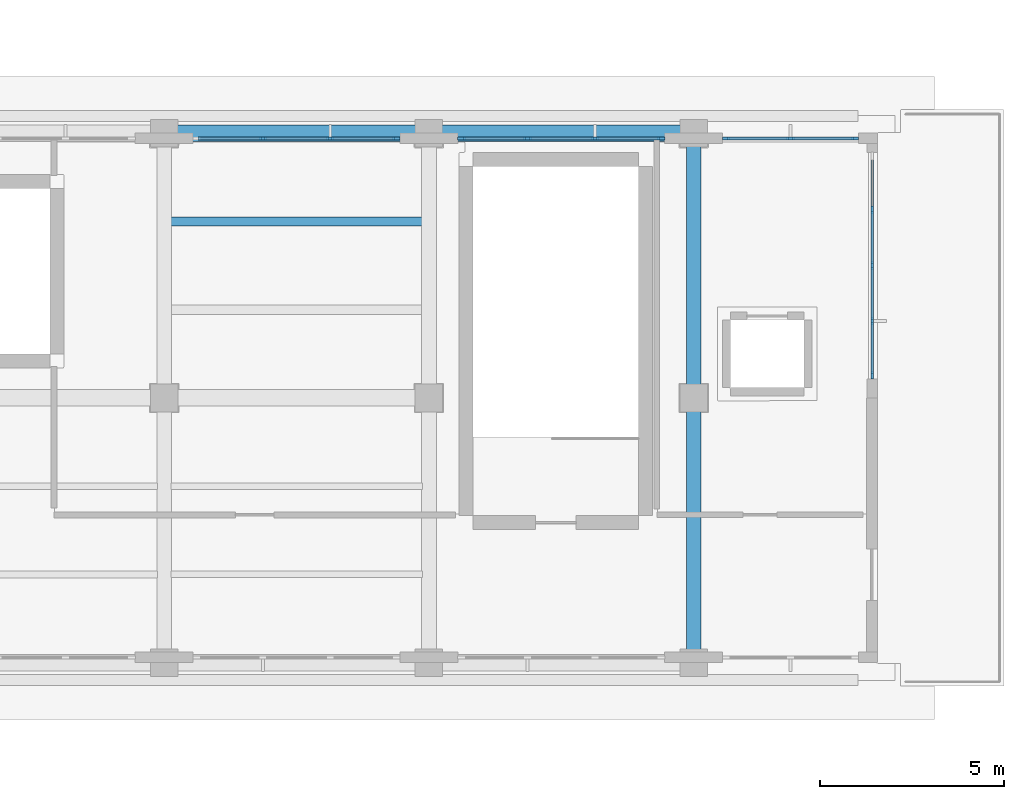
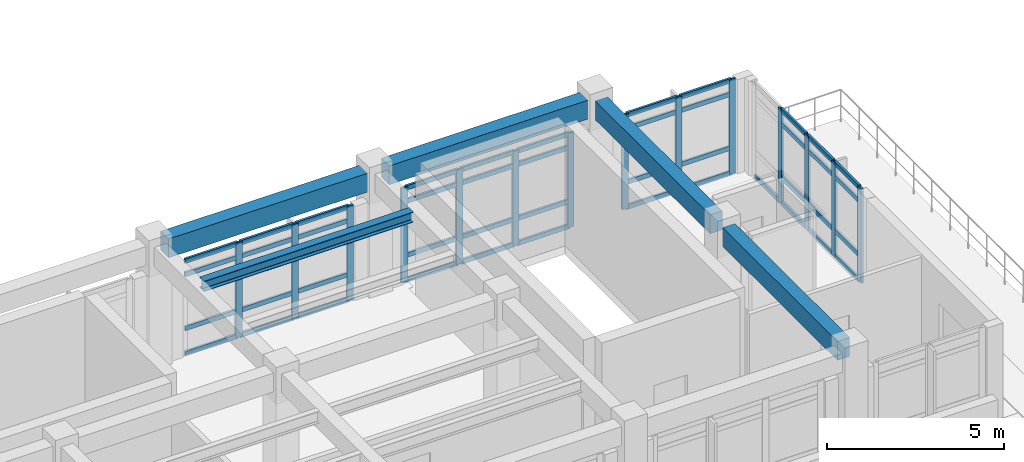
# One storey, part 17 of 64: 59 members, 5 beams, 4 elements without a shape of their own.
"""IFC4 building model written with IfcOpenShell, lengths in metres."""

from ifc_helpers import new_model, si_unit, direction, frame, origin, origin_2d, place, context, subcontext, project, spatial, rectangle, i_section, extrude, material, layer, layer_set, material_profile, profile_set, type_object, element, aggregate, save


model = new_model("IFC4")

# Units and contexts
model_context = context("Model", 3, precision=1e-05, world=origin(), true_north=direction((0.0, 1.0)))
body_context = subcontext(model_context, "Body", "Model", "MODEL_VIEW")
ifc_project = project(units=[si_unit("LENGTHUNIT", "METRE"), si_unit("AREAUNIT", "SQUARE_METRE"), si_unit("VOLUMEUNIT", "CUBIC_METRE"), si_unit("PLANEANGLEUNIT", "RADIAN"), si_unit("MASSUNIT", "GRAM", prefix="KILO")], contexts=[model_context])

# Site, building, storey
site_placement = place(None, origin())
site = spatial("IfcSite", under=ifc_project, at=site_placement, CompositionType="ELEMENT")
building_placement = place(site_placement, origin())
building = spatial("IfcBuilding", under=site, at=building_placement, Name="Solenvale Faculty of Natural Sciences", CompositionType="ELEMENT")
storey_placement = place(building_placement, frame((0.0, 0.0, 18.0)))
storey = spatial("IfcBuildingStorey", under=building, at=storey_placement, Name="L04", CompositionType="ELEMENT", Elevation=18.0)

# Beams
ifc_material_1 = material(Name="Concrete 40 MPa", Category="concrete")
ifc_material_profile_1 = material_profile(ifc_material_1, rectangle(XDim=0.39990234375, YDim=0.64990234375, at=origin_2d()), Name="RC-BM-400x650")
ifc_profile_set_1 = profile_set([ifc_material_profile_1], Name="Concrete 40 MPa")
beam_type_1 = type_object("IfcBeamType", Name="BM-RC-400x650", PredefinedType="BEAM", material=ifc_profile_set_1)
beam_1_placement = place(storey_placement, frame((151.199951171875, 43.554931640625, 3.89501953125), z_axis=(0.0, 1.0, 0.0), x_axis=(-1.0, 0.0, 0.0)))
element("IfcBeam", 1, at=beam_1_placement, inside=storey, type_object=beam_type_1, Name="L04 Y-Girder X151.2 (43.2..50.4)", PredefinedType="BEAM", context=body_context, shape_type="SweptSolid", body=[
    extrude(rectangle(XDim=0.39990234375, YDim=0.64990234375, at=origin_2d()), origin(), (0.0, 0.0, 1.0), 6.489990234375),
])
beam_2_placement = place(storey_placement, frame((151.199951171875, 50.7548828125, 3.89501953125), z_axis=(0.0, 1.0, 0.0), x_axis=(-1.0, 0.0, 0.0)))
element("IfcBeam", 2, at=beam_2_placement, inside=storey, type_object=beam_type_1, Name="L04 Y-Girder X151.2 (50.4..57.6)", PredefinedType="BEAM", context=body_context, shape_type="SweptSolid", body=[
    extrude(rectangle(XDim=0.39990234375, YDim=0.64990234375, at=origin_2d()), origin(), (0.0, 0.0, 1.0), 6.490234375),
])
ifc_material_profile_2 = material_profile(ifc_material_1, rectangle(XDim=0.449951171875, YDim=0.64990234375, at=origin_2d()), Name="RC-BM-450x650")
ifc_profile_set_2 = profile_set([ifc_material_profile_2], Name="Concrete 40 MPa")
beam_type_2 = type_object("IfcBeamType", Name="BM-RC-450x650", PredefinedType="BEAM", material=ifc_profile_set_2)
for number, where, z_axis, x_axis, name in (
    (3, (137.155029296875, 57.60009765625, 3.89501953125), (1.0, 0.0, 0.0), (0.0, 1.0, 0.0), "L04 X-Girder Y57.6 (136.8..144.0)"),
    (4, (144.35498046875, 57.60009765625, 3.89501953125), (1.0, 0.0, 0.0), (0.0, 1.0, 0.0), "L04 X-Girder Y57.6 (144.0..151.2)"),
):
    element("IfcBeam", number, at=place(storey_placement, frame(where, z_axis=z_axis, x_axis=x_axis)), inside=storey, type_object=beam_type_2, Name=name, PredefinedType="BEAM", context=body_context, shape_type="SweptSolid", body=[
        extrude(rectangle(XDim=0.449951171875, YDim=0.64990234375, at=origin_2d()), origin(), (0.0, 0.0, 1.0), 6.489990234375),
    ])
ifc_material_2 = material(Name="Steel S355", Category="steel")
ifc_material_profile_3 = material_profile(ifc_material_2, i_section(OverallWidth=0.2548828125, OverallDepth=0.35693359375, WebThickness=0.010498046875, FlangeThickness=0.018310546875, FilletRadius=0.014892578125, at=origin_2d()), Name="W360x101")
ifc_profile_set_3 = profile_set([ifc_material_profile_3], Name="Steel S355")
beam_type_3 = type_object("IfcBeamType", Name="BM-STL-W360x101", PredefinedType="JOIST", material=ifc_profile_set_3)
beam_3_placement = place(storey_placement, frame((136.97998046875, 55.199951171875, 4.04150390625), z_axis=(1.0, 0.0, 0.0), x_axis=(0.0, 1.0, 0.0)))
element("IfcBeam", 5, at=beam_3_placement, inside=storey, type_object=beam_type_3, Name="L04 Composite Floor Joist (20,8).2", PredefinedType="JOIST", context=body_context, shape_type="SweptSolid", body=[
    extrude(i_section(OverallWidth=0.2548828125, OverallDepth=0.35693359375, WebThickness=0.010498046875, FlangeThickness=0.018310546875, FilletRadius=0.014892578125, at=origin_2d()), origin(), (0.0, 0.0, 1.0), 6.840087890625),
])

# Curtain wall, members
ifc_material_3 = material(Name="Anodised bronze aluminium", Category="aluminium")
ifc_layer = layer(ifc_material_3, 0.199951171875)
ifc_layer_set = layer_set([ifc_layer], Name="Anodised bronze aluminium")
curtain_wall_type = type_object("IfcCurtainWallType", Name="CW-COM-FIN", PredefinedType="USERDEFINED", material=ifc_layer_set)
curtain_wall_1_placement = place(storey_placement, origin())
curtain_wall_1 = element("IfcCurtainWall", 6, at=curtain_wall_1_placement, inside=storey, type_object=curtain_wall_type, Name="L04 Curtain Wall CW-L04-P2-E2-B2", ObjectType="UNITISED CURTAIN WALL", PredefinedType="USERDEFINED")
ifc_material_profile_4 = material_profile(ifc_material_3, rectangle(XDim=0.074951171875, YDim=0.2099609375, at=origin_2d()), Name="ALU-MUL-75x210")
ifc_profile_set_4 = profile_set([ifc_material_profile_4], Name="Anodised bronze aluminium")
member_type_1 = type_object("IfcMemberType", Name="CWM-ALU-75x210", PredefinedType="MULLION", material=ifc_profile_set_4)
member_1_placement = place(storey_placement, frame((156.0576171875, 51.017578125, 0.0), z_axis=(0.0, 0.0, 1.0), x_axis=(-1.0, 0.0, 0.0)))
member_1 = element("IfcMember", 7, at=member_1_placement, type_object=member_type_1, Name="CW-03 mullion 1", PredefinedType="MULLION", context=body_context, shape_type="SweptSolid", body=[
    extrude(rectangle(XDim=0.074951171875, YDim=0.2099609375, at=origin_2d()), origin(), (0.0, 0.0, 1.0), 3.260009765625),
])
member_2_placement = place(storey_placement, frame((156.0576171875, 52.489990234375, 0.0), z_axis=(0.0, 0.0, 1.0), x_axis=(-1.0, 0.0, 0.0)))
member_2 = element("IfcMember", 8, at=member_2_placement, type_object=member_type_1, Name="CW-03 mullion 2", PredefinedType="MULLION", context=body_context, shape_type="SweptSolid", body=[
    extrude(rectangle(XDim=0.074951171875, YDim=0.2099609375, at=origin_2d()), origin(), (0.0, 0.0, 1.0), 3.260009765625),
])
member_3_placement = place(storey_placement, frame((156.0576171875, 54.0, 0.0), z_axis=(0.0, 0.0, 1.0), x_axis=(-1.0, 0.0, 0.0)))
member_3 = element("IfcMember", 9, at=member_3_placement, type_object=member_type_1, Name="CW-03 mullion 3", PredefinedType="MULLION", context=body_context, shape_type="SweptSolid", body=[
    extrude(rectangle(XDim=0.074951171875, YDim=0.2099609375, at=origin_2d()), origin(), (0.0, 0.0, 1.0), 3.260009765625),
])
member_4_placement = place(storey_placement, frame((156.0576171875, 55.510009765625, 0.0), z_axis=(0.0, 0.0, 1.0), x_axis=(-1.0, 0.0, 0.0)))
member_4 = element("IfcMember", 10, at=member_4_placement, type_object=member_type_1, Name="CW-03 mullion 4", PredefinedType="MULLION", context=body_context, shape_type="SweptSolid", body=[
    extrude(rectangle(XDim=0.074951171875, YDim=0.2099609375, at=origin_2d()), origin(), (0.0, 0.0, 1.0), 3.260009765625),
])

curtain_wall_2_placement = place(storey_placement, origin())
curtain_wall_2 = element("IfcCurtainWall", 11, at=curtain_wall_2_placement, inside=storey, type_object=curtain_wall_type, Name="L04 Curtain Wall CW-L04-P2-E3-B1", ObjectType="UNITISED CURTAIN WALL", PredefinedType="USERDEFINED")
member_5_placement = place(storey_placement, frame((155.58251953125, 57.45751953125, 0.0), z_axis=(0.0, 0.0, 1.0), x_axis=(0.0, -1.0, 0.0)))
member_5 = element("IfcMember", 12, at=member_5_placement, type_object=member_type_1, Name="CW-03 mullion 1", PredefinedType="MULLION", context=body_context, shape_type="SweptSolid", body=[
    extrude(rectangle(XDim=0.074951171875, YDim=0.2099609375, at=origin_2d()), origin(), (0.0, 0.0, 1.0), 3.260009765625),
])
member_6_placement = place(storey_placement, frame((153.8349609375, 57.45751953125, 0.0), z_axis=(0.0, 0.0, 1.0), x_axis=(0.0, -1.0, 0.0)))
member_6 = element("IfcMember", 13, at=member_6_placement, type_object=member_type_1, Name="CW-03 mullion 2", PredefinedType="MULLION", context=body_context, shape_type="SweptSolid", body=[
    extrude(rectangle(XDim=0.074951171875, YDim=0.2099609375, at=origin_2d()), origin(), (0.0, 0.0, 1.0), 3.260009765625),
])
member_7_placement = place(storey_placement, frame((152.08740234375, 57.45751953125, 0.0), z_axis=(0.0, 0.0, 1.0), x_axis=(0.0, -1.0, 0.0)))
member_7 = element("IfcMember", 14, at=member_7_placement, type_object=member_type_1, Name="CW-03 mullion 3", PredefinedType="MULLION", context=body_context, shape_type="SweptSolid", body=[
    extrude(rectangle(XDim=0.074951171875, YDim=0.2099609375, at=origin_2d()), origin(), (0.0, 0.0, 1.0), 3.260009765625),
])

curtain_wall_3_placement = place(storey_placement, origin())
curtain_wall_3 = element("IfcCurtainWall", 15, at=curtain_wall_3_placement, inside=storey, type_object=curtain_wall_type, Name="L04 Curtain Wall CW-L04-P2-E3-B2", ObjectType="UNITISED CURTAIN WALL", PredefinedType="USERDEFINED")
member_8_placement = place(storey_placement, frame((150.3125, 57.45751953125, 0.0), z_axis=(0.0, 0.0, 1.0), x_axis=(0.0, -1.0, 0.0)))
member_8 = element("IfcMember", 16, at=member_8_placement, type_object=member_type_1, Name="CW-03 mullion 1", PredefinedType="MULLION", context=body_context, shape_type="SweptSolid", body=[
    extrude(rectangle(XDim=0.074951171875, YDim=0.2099609375, at=origin_2d()), origin(), (0.0, 0.0, 1.0), 3.260009765625),
])
member_9_placement = place(storey_placement, frame((148.5166015625, 57.45751953125, 0.0), z_axis=(0.0, 0.0, 1.0), x_axis=(0.0, -1.0, 0.0)))
member_9 = element("IfcMember", 17, at=member_9_placement, type_object=member_type_1, Name="CW-03 mullion 2", PredefinedType="MULLION", context=body_context, shape_type="SweptSolid", body=[
    extrude(rectangle(XDim=0.074951171875, YDim=0.2099609375, at=origin_2d()), origin(), (0.0, 0.0, 1.0), 3.260009765625),
])
member_10_placement = place(storey_placement, frame((146.683349609375, 57.45751953125, 0.0), z_axis=(0.0, 0.0, 1.0), x_axis=(0.0, -1.0, 0.0)))
member_10 = element("IfcMember", 18, at=member_10_placement, type_object=member_type_1, Name="CW-03 mullion 3", PredefinedType="MULLION", context=body_context, shape_type="SweptSolid", body=[
    extrude(rectangle(XDim=0.074951171875, YDim=0.2099609375, at=origin_2d()), origin(), (0.0, 0.0, 1.0), 3.260009765625),
])
member_11_placement = place(storey_placement, frame((144.887451171875, 57.45751953125, 0.0), z_axis=(0.0, 0.0, 1.0), x_axis=(0.0, -1.0, 0.0)))
member_11 = element("IfcMember", 19, at=member_11_placement, type_object=member_type_1, Name="CW-03 mullion 4", PredefinedType="MULLION", context=body_context, shape_type="SweptSolid", body=[
    extrude(rectangle(XDim=0.074951171875, YDim=0.2099609375, at=origin_2d()), origin(), (0.0, 0.0, 1.0), 3.260009765625),
])

curtain_wall_4_placement = place(storey_placement, origin())
curtain_wall_4 = element("IfcCurtainWall", 20, at=curtain_wall_4_placement, inside=storey, type_object=curtain_wall_type, Name="L04 Curtain Wall CW-L04-P2-E3-B3", ObjectType="UNITISED CURTAIN WALL", PredefinedType="USERDEFINED")
member_12_placement = place(storey_placement, frame((143.112548828125, 57.45751953125, 0.0), z_axis=(0.0, 0.0, 1.0), x_axis=(0.0, -1.0, 0.0)))
member_12 = element("IfcMember", 21, at=member_12_placement, type_object=member_type_1, Name="CW-03 mullion 1", PredefinedType="MULLION", context=body_context, shape_type="SweptSolid", body=[
    extrude(rectangle(XDim=0.074951171875, YDim=0.2099609375, at=origin_2d()), origin(), (0.0, 0.0, 1.0), 3.260009765625),
])
member_13_placement = place(storey_placement, frame((141.316650390625, 57.45751953125, 0.0), z_axis=(0.0, 0.0, 1.0), x_axis=(0.0, -1.0, 0.0)))
member_13 = element("IfcMember", 22, at=member_13_placement, type_object=member_type_1, Name="CW-03 mullion 2", PredefinedType="MULLION", context=body_context, shape_type="SweptSolid", body=[
    extrude(rectangle(XDim=0.074951171875, YDim=0.2099609375, at=origin_2d()), origin(), (0.0, 0.0, 1.0), 3.260009765625),
])
member_14_placement = place(storey_placement, frame((139.4833984375, 57.45751953125, 0.0), z_axis=(0.0, 0.0, 1.0), x_axis=(0.0, -1.0, 0.0)))
member_14 = element("IfcMember", 23, at=member_14_placement, type_object=member_type_1, Name="CW-03 mullion 3", PredefinedType="MULLION", context=body_context, shape_type="SweptSolid", body=[
    extrude(rectangle(XDim=0.074951171875, YDim=0.2099609375, at=origin_2d()), origin(), (0.0, 0.0, 1.0), 3.260009765625),
])

# Member
ifc_material_profile_5 = material_profile(ifc_material_3, rectangle(XDim=0.074951171875, YDim=0.155029296875, at=origin_2d()), Name="ALU-TRN-75x155")
ifc_profile_set_5 = profile_set([ifc_material_profile_5], Name="Anodised bronze aluminium")
member_type_2 = type_object("IfcMemberType", Name="CWT-ALU-75x155", PredefinedType="USERDEFINED", material=ifc_profile_set_5)
member_15_placement = place(storey_placement, frame((156.0576171875, 51.054931640625, 0.03759765625), z_axis=(0.0, 1.0, 0.0), x_axis=(-1.0, 0.0, 0.0)))
member_15 = element("IfcMember", 24, at=member_15_placement, type_object=member_type_2, Name="CW-03 transom 1.1", ObjectType="TRANSOM", PredefinedType="USERDEFINED", context=body_context, shape_type="SweptSolid", body=[
    extrude(rectangle(XDim=0.074951171875, YDim=0.155029296875, at=origin_2d()), origin(), (0.0, 0.0, 1.0), 1.3974609375),
])

member_16_placement = place(storey_placement, frame((156.0576171875, 51.054931640625, 0.89990234375), z_axis=(0.0, 1.0, 0.0), x_axis=(-1.0, 0.0, 0.0)))
member_16 = element("IfcMember", 25, at=member_16_placement, type_object=member_type_2, Name="CW-03 transom 1.2", ObjectType="TRANSOM", PredefinedType="USERDEFINED", context=body_context, shape_type="SweptSolid", body=[
    extrude(rectangle(XDim=0.074951171875, YDim=0.155029296875, at=origin_2d()), origin(), (0.0, 0.0, 1.0), 1.3974609375),
])

member_17_placement = place(storey_placement, frame((156.0576171875, 51.054931640625, 2.760009765625), z_axis=(0.0, 1.0, 0.0), x_axis=(-1.0, 0.0, 0.0)))
member_17 = element("IfcMember", 26, at=member_17_placement, type_object=member_type_2, Name="CW-03 transom 1.3", ObjectType="TRANSOM", PredefinedType="USERDEFINED", context=body_context, shape_type="SweptSolid", body=[
    extrude(rectangle(XDim=0.074951171875, YDim=0.155029296875, at=origin_2d()), origin(), (0.0, 0.0, 1.0), 1.3974609375),
])

member_18_placement = place(storey_placement, frame((156.0576171875, 51.054931640625, 3.222412109375), z_axis=(0.0, 1.0, 0.0), x_axis=(-1.0, 0.0, 0.0)))
member_18 = element("IfcMember", 27, at=member_18_placement, type_object=member_type_2, Name="CW-03 transom 1.4", ObjectType="TRANSOM", PredefinedType="USERDEFINED", context=body_context, shape_type="SweptSolid", body=[
    extrude(rectangle(XDim=0.074951171875, YDim=0.155029296875, at=origin_2d()), origin(), (0.0, 0.0, 1.0), 1.3974609375),
])

member_19_placement = place(storey_placement, frame((156.0576171875, 52.527587890625, 0.03759765625), z_axis=(0.0, 1.0, 0.0), x_axis=(-1.0, 0.0, 0.0)))
member_19 = element("IfcMember", 28, at=member_19_placement, type_object=member_type_2, Name="CW-03 transom 2.1", ObjectType="TRANSOM", PredefinedType="USERDEFINED", context=body_context, shape_type="SweptSolid", body=[
    extrude(rectangle(XDim=0.074951171875, YDim=0.155029296875, at=origin_2d()), origin(), (0.0, 0.0, 1.0), 1.434814453125),
])

member_20_placement = place(storey_placement, frame((156.0576171875, 52.527587890625, 0.89990234375), z_axis=(0.0, 1.0, 0.0), x_axis=(-1.0, 0.0, 0.0)))
member_20 = element("IfcMember", 29, at=member_20_placement, type_object=member_type_2, Name="CW-03 transom 2.2", ObjectType="TRANSOM", PredefinedType="USERDEFINED", context=body_context, shape_type="SweptSolid", body=[
    extrude(rectangle(XDim=0.074951171875, YDim=0.155029296875, at=origin_2d()), origin(), (0.0, 0.0, 1.0), 1.434814453125),
])

member_21_placement = place(storey_placement, frame((156.0576171875, 52.527587890625, 2.760009765625), z_axis=(0.0, 1.0, 0.0), x_axis=(-1.0, 0.0, 0.0)))
member_21 = element("IfcMember", 30, at=member_21_placement, type_object=member_type_2, Name="CW-03 transom 2.3", ObjectType="TRANSOM", PredefinedType="USERDEFINED", context=body_context, shape_type="SweptSolid", body=[
    extrude(rectangle(XDim=0.074951171875, YDim=0.155029296875, at=origin_2d()), origin(), (0.0, 0.0, 1.0), 1.434814453125),
])

member_22_placement = place(storey_placement, frame((156.0576171875, 52.527587890625, 3.222412109375), z_axis=(0.0, 1.0, 0.0), x_axis=(-1.0, 0.0, 0.0)))
member_22 = element("IfcMember", 31, at=member_22_placement, type_object=member_type_2, Name="CW-03 transom 2.4", ObjectType="TRANSOM", PredefinedType="USERDEFINED", context=body_context, shape_type="SweptSolid", body=[
    extrude(rectangle(XDim=0.074951171875, YDim=0.155029296875, at=origin_2d()), origin(), (0.0, 0.0, 1.0), 1.434814453125),
])

member_23_placement = place(storey_placement, frame((156.0576171875, 54.03759765625, 0.03759765625), z_axis=(0.0, 1.0, 0.0), x_axis=(-1.0, 0.0, 0.0)))
member_23 = element("IfcMember", 32, at=member_23_placement, type_object=member_type_2, Name="CW-03 transom 3.1", ObjectType="TRANSOM", PredefinedType="USERDEFINED", context=body_context, shape_type="SweptSolid", body=[
    extrude(rectangle(XDim=0.074951171875, YDim=0.155029296875, at=origin_2d()), origin(), (0.0, 0.0, 1.0), 1.434814453125),
])

member_24_placement = place(storey_placement, frame((156.0576171875, 54.03759765625, 0.89990234375), z_axis=(0.0, 1.0, 0.0), x_axis=(-1.0, 0.0, 0.0)))
member_24 = element("IfcMember", 33, at=member_24_placement, type_object=member_type_2, Name="CW-03 transom 3.2", ObjectType="TRANSOM", PredefinedType="USERDEFINED", context=body_context, shape_type="SweptSolid", body=[
    extrude(rectangle(XDim=0.074951171875, YDim=0.155029296875, at=origin_2d()), origin(), (0.0, 0.0, 1.0), 1.434814453125),
])

member_25_placement = place(storey_placement, frame((156.0576171875, 54.03759765625, 2.760009765625), z_axis=(0.0, 1.0, 0.0), x_axis=(-1.0, 0.0, 0.0)))
member_25 = element("IfcMember", 34, at=member_25_placement, type_object=member_type_2, Name="CW-03 transom 3.3", ObjectType="TRANSOM", PredefinedType="USERDEFINED", context=body_context, shape_type="SweptSolid", body=[
    extrude(rectangle(XDim=0.074951171875, YDim=0.155029296875, at=origin_2d()), origin(), (0.0, 0.0, 1.0), 1.434814453125),
])

member_26_placement = place(storey_placement, frame((156.0576171875, 54.03759765625, 3.222412109375), z_axis=(0.0, 1.0, 0.0), x_axis=(-1.0, 0.0, 0.0)))
member_26 = element("IfcMember", 35, at=member_26_placement, type_object=member_type_2, Name="CW-03 transom 3.4", ObjectType="TRANSOM", PredefinedType="USERDEFINED", context=body_context, shape_type="SweptSolid", body=[
    extrude(rectangle(XDim=0.074951171875, YDim=0.155029296875, at=origin_2d()), origin(), (0.0, 0.0, 1.0), 1.434814453125),
])

member_27_placement = place(storey_placement, frame((156.0576171875, 55.547607421875, 0.03759765625), z_axis=(0.0, 1.0, 0.0), x_axis=(-1.0, 0.0, 0.0)))
member_27 = element("IfcMember", 36, at=member_27_placement, type_object=member_type_2, Name="CW-03 transom 4.1", ObjectType="TRANSOM", PredefinedType="USERDEFINED", context=body_context, shape_type="SweptSolid", body=[
    extrude(rectangle(XDim=0.074951171875, YDim=0.155029296875, at=origin_2d()), origin(), (0.0, 0.0, 1.0), 1.3974609375),
])

aggregate(curtain_wall_1, [member_1, member_2, member_3, member_4, member_15, member_16, member_17, member_18, member_19, member_20, member_21, member_22, member_23, member_24, member_25, member_26, member_27])

member_28_placement = place(storey_placement, frame((155.544921875, 57.45751953125, 0.03759765625), z_axis=(-1.0, 0.0, 0.0), x_axis=(0.0, -1.0, 0.0)))
member_28 = element("IfcMember", 37, at=member_28_placement, type_object=member_type_2, Name="CW-03 transom 1.1", ObjectType="TRANSOM", PredefinedType="USERDEFINED", context=body_context, shape_type="SweptSolid", body=[
    extrude(rectangle(XDim=0.074951171875, YDim=0.155029296875, at=origin_2d()), origin(), (0.0, 0.0, 1.0), 1.67236328125),
])

member_29_placement = place(storey_placement, frame((155.544921875, 57.45751953125, 0.89990234375), z_axis=(-1.0, 0.0, 0.0), x_axis=(0.0, -1.0, 0.0)))
member_29 = element("IfcMember", 38, at=member_29_placement, type_object=member_type_2, Name="CW-03 transom 1.2", ObjectType="TRANSOM", PredefinedType="USERDEFINED", context=body_context, shape_type="SweptSolid", body=[
    extrude(rectangle(XDim=0.074951171875, YDim=0.155029296875, at=origin_2d()), origin(), (0.0, 0.0, 1.0), 1.67236328125),
])

member_30_placement = place(storey_placement, frame((155.544921875, 57.45751953125, 2.760009765625), z_axis=(-1.0, 0.0, 0.0), x_axis=(0.0, -1.0, 0.0)))
member_30 = element("IfcMember", 39, at=member_30_placement, type_object=member_type_2, Name="CW-03 transom 1.3", ObjectType="TRANSOM", PredefinedType="USERDEFINED", context=body_context, shape_type="SweptSolid", body=[
    extrude(rectangle(XDim=0.074951171875, YDim=0.155029296875, at=origin_2d()), origin(), (0.0, 0.0, 1.0), 1.67236328125),
])

member_31_placement = place(storey_placement, frame((155.544921875, 57.45751953125, 3.222412109375), z_axis=(-1.0, 0.0, 0.0), x_axis=(0.0, -1.0, 0.0)))
member_31 = element("IfcMember", 40, at=member_31_placement, type_object=member_type_2, Name="CW-03 transom 1.4", ObjectType="TRANSOM", PredefinedType="USERDEFINED", context=body_context, shape_type="SweptSolid", body=[
    extrude(rectangle(XDim=0.074951171875, YDim=0.155029296875, at=origin_2d()), origin(), (0.0, 0.0, 1.0), 1.67236328125),
])

member_32_placement = place(storey_placement, frame((153.797607421875, 57.45751953125, 0.03759765625), z_axis=(-1.0, 0.0, 0.0), x_axis=(0.0, -1.0, 0.0)))
member_32 = element("IfcMember", 41, at=member_32_placement, type_object=member_type_2, Name="CW-03 transom 2.1", ObjectType="TRANSOM", PredefinedType="USERDEFINED", context=body_context, shape_type="SweptSolid", body=[
    extrude(rectangle(XDim=0.074951171875, YDim=0.155029296875, at=origin_2d()), origin(), (0.0, 0.0, 1.0), 1.672607421875),
])

member_33_placement = place(storey_placement, frame((153.797607421875, 57.45751953125, 0.89990234375), z_axis=(-1.0, 0.0, 0.0), x_axis=(0.0, -1.0, 0.0)))
member_33 = element("IfcMember", 42, at=member_33_placement, type_object=member_type_2, Name="CW-03 transom 2.2", ObjectType="TRANSOM", PredefinedType="USERDEFINED", context=body_context, shape_type="SweptSolid", body=[
    extrude(rectangle(XDim=0.074951171875, YDim=0.155029296875, at=origin_2d()), origin(), (0.0, 0.0, 1.0), 1.672607421875),
])

member_34_placement = place(storey_placement, frame((153.797607421875, 57.45751953125, 2.760009765625), z_axis=(-1.0, 0.0, 0.0), x_axis=(0.0, -1.0, 0.0)))
member_34 = element("IfcMember", 43, at=member_34_placement, type_object=member_type_2, Name="CW-03 transom 2.3", ObjectType="TRANSOM", PredefinedType="USERDEFINED", context=body_context, shape_type="SweptSolid", body=[
    extrude(rectangle(XDim=0.074951171875, YDim=0.155029296875, at=origin_2d()), origin(), (0.0, 0.0, 1.0), 1.672607421875),
])

member_35_placement = place(storey_placement, frame((153.797607421875, 57.45751953125, 3.222412109375), z_axis=(-1.0, 0.0, 0.0), x_axis=(0.0, -1.0, 0.0)))
member_35 = element("IfcMember", 44, at=member_35_placement, type_object=member_type_2, Name="CW-03 transom 2.4", ObjectType="TRANSOM", PredefinedType="USERDEFINED", context=body_context, shape_type="SweptSolid", body=[
    extrude(rectangle(XDim=0.074951171875, YDim=0.155029296875, at=origin_2d()), origin(), (0.0, 0.0, 1.0), 1.672607421875),
])

aggregate(curtain_wall_2, [member_5, member_6, member_7, member_28, member_29, member_30, member_31, member_32, member_33, member_34, member_35])

member_36_placement = place(storey_placement, frame((150.27490234375, 57.45751953125, 0.03759765625), z_axis=(-1.0, 0.0, 0.0), x_axis=(0.0, -1.0, 0.0)))
member_36 = element("IfcMember", 45, at=member_36_placement, type_object=member_type_2, Name="CW-03 transom 1.1", ObjectType="TRANSOM", PredefinedType="USERDEFINED", context=body_context, shape_type="SweptSolid", body=[
    extrude(rectangle(XDim=0.074951171875, YDim=0.155029296875, at=origin_2d()), origin(), (0.0, 0.0, 1.0), 1.720703125),
])

member_37_placement = place(storey_placement, frame((150.27490234375, 57.45751953125, 0.89990234375), z_axis=(-1.0, 0.0, 0.0), x_axis=(0.0, -1.0, 0.0)))
member_37 = element("IfcMember", 46, at=member_37_placement, type_object=member_type_2, Name="CW-03 transom 1.2", ObjectType="TRANSOM", PredefinedType="USERDEFINED", context=body_context, shape_type="SweptSolid", body=[
    extrude(rectangle(XDim=0.074951171875, YDim=0.155029296875, at=origin_2d()), origin(), (0.0, 0.0, 1.0), 1.720703125),
])

member_38_placement = place(storey_placement, frame((150.27490234375, 57.45751953125, 2.760009765625), z_axis=(-1.0, 0.0, 0.0), x_axis=(0.0, -1.0, 0.0)))
member_38 = element("IfcMember", 47, at=member_38_placement, type_object=member_type_2, Name="CW-03 transom 1.3", ObjectType="TRANSOM", PredefinedType="USERDEFINED", context=body_context, shape_type="SweptSolid", body=[
    extrude(rectangle(XDim=0.074951171875, YDim=0.155029296875, at=origin_2d()), origin(), (0.0, 0.0, 1.0), 1.720703125),
])

member_39_placement = place(storey_placement, frame((150.27490234375, 57.45751953125, 3.222412109375), z_axis=(-1.0, 0.0, 0.0), x_axis=(0.0, -1.0, 0.0)))
member_39 = element("IfcMember", 48, at=member_39_placement, type_object=member_type_2, Name="CW-03 transom 1.4", ObjectType="TRANSOM", PredefinedType="USERDEFINED", context=body_context, shape_type="SweptSolid", body=[
    extrude(rectangle(XDim=0.074951171875, YDim=0.155029296875, at=origin_2d()), origin(), (0.0, 0.0, 1.0), 1.720703125),
])

member_40_placement = place(storey_placement, frame((148.479248046875, 57.45751953125, 0.03759765625), z_axis=(-1.0, 0.0, 0.0), x_axis=(0.0, -1.0, 0.0)))
member_40 = element("IfcMember", 49, at=member_40_placement, type_object=member_type_2, Name="CW-03 transom 2.1", ObjectType="TRANSOM", PredefinedType="USERDEFINED", context=body_context, shape_type="SweptSolid", body=[
    extrude(rectangle(XDim=0.074951171875, YDim=0.155029296875, at=origin_2d()), origin(), (0.0, 0.0, 1.0), 1.75830078125),
])

member_41_placement = place(storey_placement, frame((148.479248046875, 57.45751953125, 0.89990234375), z_axis=(-1.0, 0.0, 0.0), x_axis=(0.0, -1.0, 0.0)))
member_41 = element("IfcMember", 50, at=member_41_placement, type_object=member_type_2, Name="CW-03 transom 2.2", ObjectType="TRANSOM", PredefinedType="USERDEFINED", context=body_context, shape_type="SweptSolid", body=[
    extrude(rectangle(XDim=0.074951171875, YDim=0.155029296875, at=origin_2d()), origin(), (0.0, 0.0, 1.0), 1.75830078125),
])

member_42_placement = place(storey_placement, frame((148.479248046875, 57.45751953125, 2.760009765625), z_axis=(-1.0, 0.0, 0.0), x_axis=(0.0, -1.0, 0.0)))
member_42 = element("IfcMember", 51, at=member_42_placement, type_object=member_type_2, Name="CW-03 transom 2.3", ObjectType="TRANSOM", PredefinedType="USERDEFINED", context=body_context, shape_type="SweptSolid", body=[
    extrude(rectangle(XDim=0.074951171875, YDim=0.155029296875, at=origin_2d()), origin(), (0.0, 0.0, 1.0), 1.75830078125),
])

member_43_placement = place(storey_placement, frame((148.479248046875, 57.45751953125, 3.222412109375), z_axis=(-1.0, 0.0, 0.0), x_axis=(0.0, -1.0, 0.0)))
member_43 = element("IfcMember", 52, at=member_43_placement, type_object=member_type_2, Name="CW-03 transom 2.4", ObjectType="TRANSOM", PredefinedType="USERDEFINED", context=body_context, shape_type="SweptSolid", body=[
    extrude(rectangle(XDim=0.074951171875, YDim=0.155029296875, at=origin_2d()), origin(), (0.0, 0.0, 1.0), 1.75830078125),
])

member_44_placement = place(storey_placement, frame((146.645751953125, 57.45751953125, 0.03759765625), z_axis=(-1.0, 0.0, 0.0), x_axis=(0.0, -1.0, 0.0)))
member_44 = element("IfcMember", 53, at=member_44_placement, type_object=member_type_2, Name="CW-03 transom 3.1", ObjectType="TRANSOM", PredefinedType="USERDEFINED", context=body_context, shape_type="SweptSolid", body=[
    extrude(rectangle(XDim=0.074951171875, YDim=0.155029296875, at=origin_2d()), origin(), (0.0, 0.0, 1.0), 1.720703125),
])

member_45_placement = place(storey_placement, frame((146.645751953125, 57.45751953125, 0.89990234375), z_axis=(-1.0, 0.0, 0.0), x_axis=(0.0, -1.0, 0.0)))
member_45 = element("IfcMember", 54, at=member_45_placement, type_object=member_type_2, Name="CW-03 transom 3.2", ObjectType="TRANSOM", PredefinedType="USERDEFINED", context=body_context, shape_type="SweptSolid", body=[
    extrude(rectangle(XDim=0.074951171875, YDim=0.155029296875, at=origin_2d()), origin(), (0.0, 0.0, 1.0), 1.720703125),
])

member_46_placement = place(storey_placement, frame((146.645751953125, 57.45751953125, 2.760009765625), z_axis=(-1.0, 0.0, 0.0), x_axis=(0.0, -1.0, 0.0)))
member_46 = element("IfcMember", 55, at=member_46_placement, type_object=member_type_2, Name="CW-03 transom 3.3", ObjectType="TRANSOM", PredefinedType="USERDEFINED", context=body_context, shape_type="SweptSolid", body=[
    extrude(rectangle(XDim=0.074951171875, YDim=0.155029296875, at=origin_2d()), origin(), (0.0, 0.0, 1.0), 1.720703125),
])

member_47_placement = place(storey_placement, frame((146.645751953125, 57.45751953125, 3.222412109375), z_axis=(-1.0, 0.0, 0.0), x_axis=(0.0, -1.0, 0.0)))
member_47 = element("IfcMember", 56, at=member_47_placement, type_object=member_type_2, Name="CW-03 transom 3.4", ObjectType="TRANSOM", PredefinedType="USERDEFINED", context=body_context, shape_type="SweptSolid", body=[
    extrude(rectangle(XDim=0.074951171875, YDim=0.155029296875, at=origin_2d()), origin(), (0.0, 0.0, 1.0), 1.720703125),
])

aggregate(curtain_wall_3, [member_8, member_9, member_10, member_11, member_36, member_37, member_38, member_39, member_40, member_41, member_42, member_43, member_44, member_45, member_46, member_47])

member_48_placement = place(storey_placement, frame((143.074951171875, 57.45751953125, 0.03759765625), z_axis=(-1.0, 0.0, 0.0), x_axis=(0.0, -1.0, 0.0)))
member_48 = element("IfcMember", 57, at=member_48_placement, type_object=member_type_2, Name="CW-03 transom 1.1", ObjectType="TRANSOM", PredefinedType="USERDEFINED", context=body_context, shape_type="SweptSolid", body=[
    extrude(rectangle(XDim=0.074951171875, YDim=0.155029296875, at=origin_2d()), origin(), (0.0, 0.0, 1.0), 1.720703125),
])

member_49_placement = place(storey_placement, frame((143.074951171875, 57.45751953125, 0.89990234375), z_axis=(-1.0, 0.0, 0.0), x_axis=(0.0, -1.0, 0.0)))
member_49 = element("IfcMember", 58, at=member_49_placement, type_object=member_type_2, Name="CW-03 transom 1.2", ObjectType="TRANSOM", PredefinedType="USERDEFINED", context=body_context, shape_type="SweptSolid", body=[
    extrude(rectangle(XDim=0.074951171875, YDim=0.155029296875, at=origin_2d()), origin(), (0.0, 0.0, 1.0), 1.720703125),
])

member_50_placement = place(storey_placement, frame((143.074951171875, 57.45751953125, 2.760009765625), z_axis=(-1.0, 0.0, 0.0), x_axis=(0.0, -1.0, 0.0)))
member_50 = element("IfcMember", 59, at=member_50_placement, type_object=member_type_2, Name="CW-03 transom 1.3", ObjectType="TRANSOM", PredefinedType="USERDEFINED", context=body_context, shape_type="SweptSolid", body=[
    extrude(rectangle(XDim=0.074951171875, YDim=0.155029296875, at=origin_2d()), origin(), (0.0, 0.0, 1.0), 1.720703125),
])

member_51_placement = place(storey_placement, frame((143.074951171875, 57.45751953125, 3.222412109375), z_axis=(-1.0, 0.0, 0.0), x_axis=(0.0, -1.0, 0.0)))
member_51 = element("IfcMember", 60, at=member_51_placement, type_object=member_type_2, Name="CW-03 transom 1.4", ObjectType="TRANSOM", PredefinedType="USERDEFINED", context=body_context, shape_type="SweptSolid", body=[
    extrude(rectangle(XDim=0.074951171875, YDim=0.155029296875, at=origin_2d()), origin(), (0.0, 0.0, 1.0), 1.720703125),
])

member_52_placement = place(storey_placement, frame((141.279052734375, 57.45751953125, 0.03759765625), z_axis=(-1.0, 0.0, 0.0), x_axis=(0.0, -1.0, 0.0)))
member_52 = element("IfcMember", 61, at=member_52_placement, type_object=member_type_2, Name="CW-03 transom 2.1", ObjectType="TRANSOM", PredefinedType="USERDEFINED", context=body_context, shape_type="SweptSolid", body=[
    extrude(rectangle(XDim=0.074951171875, YDim=0.155029296875, at=origin_2d()), origin(), (0.0, 0.0, 1.0), 1.75830078125),
])

member_53_placement = place(storey_placement, frame((141.279052734375, 57.45751953125, 0.89990234375), z_axis=(-1.0, 0.0, 0.0), x_axis=(0.0, -1.0, 0.0)))
member_53 = element("IfcMember", 62, at=member_53_placement, type_object=member_type_2, Name="CW-03 transom 2.2", ObjectType="TRANSOM", PredefinedType="USERDEFINED", context=body_context, shape_type="SweptSolid", body=[
    extrude(rectangle(XDim=0.074951171875, YDim=0.155029296875, at=origin_2d()), origin(), (0.0, 0.0, 1.0), 1.75830078125),
])

member_54_placement = place(storey_placement, frame((141.279052734375, 57.45751953125, 2.760009765625), z_axis=(-1.0, 0.0, 0.0), x_axis=(0.0, -1.0, 0.0)))
member_54 = element("IfcMember", 63, at=member_54_placement, type_object=member_type_2, Name="CW-03 transom 2.3", ObjectType="TRANSOM", PredefinedType="USERDEFINED", context=body_context, shape_type="SweptSolid", body=[
    extrude(rectangle(XDim=0.074951171875, YDim=0.155029296875, at=origin_2d()), origin(), (0.0, 0.0, 1.0), 1.75830078125),
])

member_55_placement = place(storey_placement, frame((141.279052734375, 57.45751953125, 3.222412109375), z_axis=(-1.0, 0.0, 0.0), x_axis=(0.0, -1.0, 0.0)))
member_55 = element("IfcMember", 64, at=member_55_placement, type_object=member_type_2, Name="CW-03 transom 2.4", ObjectType="TRANSOM", PredefinedType="USERDEFINED", context=body_context, shape_type="SweptSolid", body=[
    extrude(rectangle(XDim=0.074951171875, YDim=0.155029296875, at=origin_2d()), origin(), (0.0, 0.0, 1.0), 1.75830078125),
])

member_56_placement = place(storey_placement, frame((139.44580078125, 57.45751953125, 0.03759765625), z_axis=(-1.0, 0.0, 0.0), x_axis=(0.0, -1.0, 0.0)))
member_56 = element("IfcMember", 65, at=member_56_placement, type_object=member_type_2, Name="CW-03 transom 3.1", ObjectType="TRANSOM", PredefinedType="USERDEFINED", context=body_context, shape_type="SweptSolid", body=[
    extrude(rectangle(XDim=0.074951171875, YDim=0.155029296875, at=origin_2d()), origin(), (0.0, 0.0, 1.0), 1.720703125),
])

member_57_placement = place(storey_placement, frame((139.44580078125, 57.45751953125, 0.89990234375), z_axis=(-1.0, 0.0, 0.0), x_axis=(0.0, -1.0, 0.0)))
member_57 = element("IfcMember", 66, at=member_57_placement, type_object=member_type_2, Name="CW-03 transom 3.2", ObjectType="TRANSOM", PredefinedType="USERDEFINED", context=body_context, shape_type="SweptSolid", body=[
    extrude(rectangle(XDim=0.074951171875, YDim=0.155029296875, at=origin_2d()), origin(), (0.0, 0.0, 1.0), 1.720703125),
])

member_58_placement = place(storey_placement, frame((139.44580078125, 57.45751953125, 2.760009765625), z_axis=(-1.0, 0.0, 0.0), x_axis=(0.0, -1.0, 0.0)))
member_58 = element("IfcMember", 67, at=member_58_placement, type_object=member_type_2, Name="CW-03 transom 3.3", ObjectType="TRANSOM", PredefinedType="USERDEFINED", context=body_context, shape_type="SweptSolid", body=[
    extrude(rectangle(XDim=0.074951171875, YDim=0.155029296875, at=origin_2d()), origin(), (0.0, 0.0, 1.0), 1.720703125),
])

member_59_placement = place(storey_placement, frame((139.44580078125, 57.45751953125, 3.222412109375), z_axis=(-1.0, 0.0, 0.0), x_axis=(0.0, -1.0, 0.0)))
member_59 = element("IfcMember", 68, at=member_59_placement, type_object=member_type_2, Name="CW-03 transom 3.4", ObjectType="TRANSOM", PredefinedType="USERDEFINED", context=body_context, shape_type="SweptSolid", body=[
    extrude(rectangle(XDim=0.074951171875, YDim=0.155029296875, at=origin_2d()), origin(), (0.0, 0.0, 1.0), 1.720703125),
])

aggregate(curtain_wall_4, [member_12, member_13, member_14, member_48, member_49, member_50, member_51, member_52, member_53, member_54, member_55, member_56, member_57, member_58, member_59])

save(model, "model.ifc")
